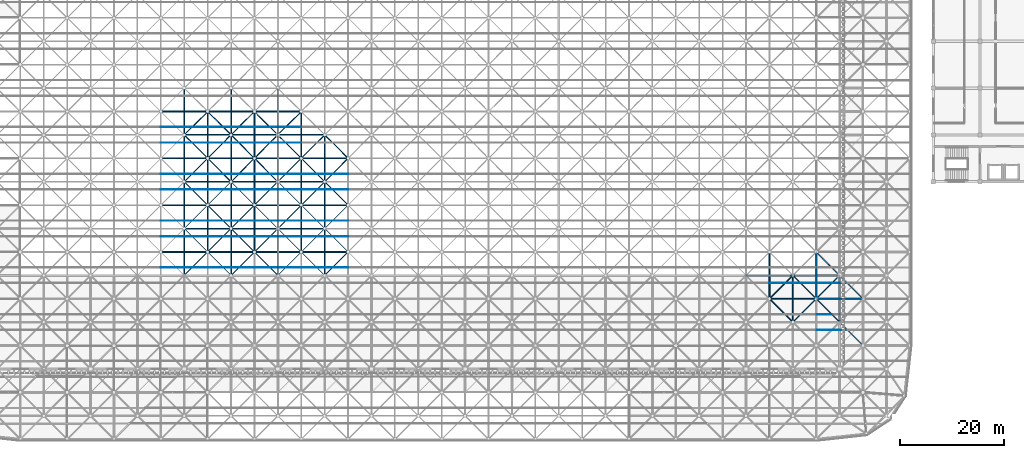
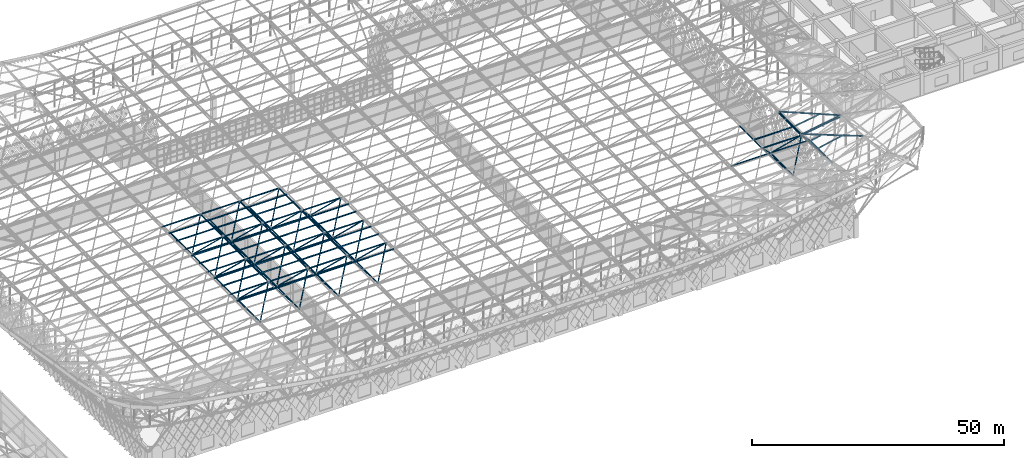
# One storey, part 90 of 437: 143 members.
"""IFC4 building model written with IfcOpenShell, lengths in metres."""

from ifc_helpers import new_model, si_unit, direction, frame, origin, origin_2d, place, context, subcontext, project, spatial, polyline, hollow_circle, outline, extrude, material, material_profile, profile_set, type_object, element, save


model = new_model("IFC4")

# Units and contexts
model_context = context("Model", 3, precision=1e-05, world=origin(), true_north=direction((0.0, 1.0)))
body_context = subcontext(model_context, "Body", "Model", "MODEL_VIEW")
ifc_project = project(units=[si_unit("LENGTHUNIT", "METRE"), si_unit("AREAUNIT", "SQUARE_METRE"), si_unit("VOLUMEUNIT", "CUBIC_METRE"), si_unit("PLANEANGLEUNIT", "RADIAN"), si_unit("MASSUNIT", "GRAM", prefix="KILO")], contexts=[model_context])

# Site, building, storey
site_placement = place(None, origin())
site = spatial("IfcSite", under=ifc_project, at=site_placement, CompositionType="ELEMENT")
building_placement = place(site_placement, origin())
building = spatial("IfcBuilding", under=site, at=building_placement, Name="Opaline Strait Convention Centre", CompositionType="ELEMENT")
storey_placement = place(building_placement, frame((0.0, 0.0, 11.5)))
storey = spatial("IfcBuildingStorey", under=building, at=storey_placement, Name="L02", CompositionType="ELEMENT", Elevation=11.5)

# Members
ifc_material = material(Name="Steel Q355B", Category="steel")
ifc_material_profile_1 = material_profile(ifc_material, outline(polyline([(-0.03759765625, -0.125), (0.03759765625, -0.125), (0.03759765625, -0.10498046875), (0.034912109375, -0.10498046875), (0.034912109375, -0.12255859375), (-0.034912109375, -0.12255859375), (-0.034912109375, 0.12255859375), (0.034912109375, 0.12255859375), (0.034912109375, 0.10498046875), (0.03759765625, 0.10498046875), (0.03759765625, 0.125), (-0.03759765625, 0.125), (-0.03759765625, -0.125)])), Name="C 250x75x20x2.5")
ifc_profile_set_1 = profile_set([ifc_material_profile_1], Name="Steel Q355B")
member_type_1 = type_object("IfcMemberType", Name="Roof purlin C 250x75x20x2.5", PredefinedType="PURLIN", material=ifc_profile_set_1)
member_1_placement = place(storey_placement, frame((265.5, 58.5, 20.09521484375), z_axis=(-0.699848198846, 0.699848198846, -0.142916049287), x_axis=(-0.697561791101, -0.712686479451, -0.074064361226)))
element("IfcMember", 1, at=member_1_placement, inside=storey, type_object=member_type_1, Name="EXB-RF-F-19-2", PredefinedType="PURLIN", context=body_context, shape_type="SweptSolid", body=[
    extrude(outline(polyline([(-0.03759765625, -0.125), (0.03759765625, -0.125), (0.03759765625, -0.10498046875), (0.034912109375, -0.10498046875), (0.034912109375, -0.12255859375), (-0.034912109375, -0.12255859375), (-0.034912109375, 0.12255859375), (0.034912109375, 0.12255859375), (0.034912109375, 0.10498046875), (0.03759765625, 0.10498046875), (0.03759765625, 0.125), (-0.03759765625, 0.125), (-0.03759765625, -0.125)])), origin(), (0.0, 0.0, 1.0), 12.85986328125),
])
member_2_placement = place(storey_placement, frame((256.449951171875, 67.454345703125, 18.2529296875), z_axis=(0.988093016125, 0.0, 0.153857698814), x_axis=(0.007363297001, 0.998854157138, -0.047287996623)))
element("IfcMember", 2, at=member_2_placement, inside=storey, type_object=member_type_1, Name="EXB-RF-E-19-2a", PredefinedType="PURLIN", context=body_context, shape_type="SweptSolid", body=[
    extrude(outline(polyline([(-0.03759765625, -0.125), (0.03759765625, -0.125), (0.03759765625, -0.10498046875), (0.034912109375, -0.10498046875), (0.034912109375, -0.12255859375), (-0.034912109375, -0.12255859375), (-0.034912109375, 0.12255859375), (0.034912109375, 0.12255859375), (0.034912109375, 0.10498046875), (0.03759765625, 0.10498046875), (0.03759765625, 0.125), (-0.03759765625, 0.125), (-0.03759765625, -0.125)])), origin(), (0.0, 0.0, 1.0), 9.209716796875),
])
member_3_placement = place(storey_placement, frame((256.598388671875, 61.5, 18.27978515625), z_axis=(0.979783458898, 0.0, 0.200060924894), x_axis=(0.0, 1.0, 0.0)))
element("IfcMember", 3, at=member_3_placement, inside=storey, type_object=member_type_1, Name="EXB-RF-P-19-2-0b", PredefinedType="PURLIN", context=body_context, shape_type="SweptSolid", body=[
    extrude(outline(polyline([(-0.03759765625, -0.125), (0.03759765625, -0.125), (0.03759765625, -0.10498046875), (0.034912109375, -0.10498046875), (0.034912109375, -0.12255859375), (-0.034912109375, -0.12255859375), (-0.034912109375, 0.12255859375), (0.034912109375, 0.12255859375), (0.034912109375, 0.10498046875), (0.03759765625, 0.10498046875), (0.03759765625, 0.125), (-0.03759765625, 0.125), (-0.03759765625, -0.125)])), origin(), (0.0, 0.0, 1.0), 5.972412109375),
])
member_4_placement = place(storey_placement, frame((256.598388671875, 64.5, 18.27978515625), z_axis=(0.979782251456, 0.0, 0.200066838161), x_axis=(0.0, 1.0, 0.0)))
element("IfcMember", 4, at=member_4_placement, inside=storey, type_object=member_type_1, Name="EXB-RF-P-19-2-1b", PredefinedType="PURLIN", context=body_context, shape_type="SweptSolid", body=[
    extrude(outline(polyline([(-0.03759765625, -0.125), (0.03759765625, -0.125), (0.03759765625, -0.10498046875), (0.034912109375, -0.10498046875), (0.034912109375, -0.12255859375), (-0.034912109375, -0.12255859375), (-0.034912109375, 0.12255859375), (0.034912109375, 0.12255859375), (0.034912109375, 0.10498046875), (0.03759765625, 0.10498046875), (0.03759765625, 0.125), (-0.03759765625, 0.125), (-0.03759765625, -0.125)])), origin(), (0.0, 0.0, 1.0), 2.910400390625),
])
for number, where, z_axis, x_axis, name in (
    (5, (130.5, 73.5, 18.257080078125), (1.0, 0.0, 0.0), (0.0, 1.0, 0.0), "EXB-RF-P-5-3-1"),
    (6, (139.5, 73.5, 18.257080078125), (1.0, 0.0, 0.0), (0.0, 1.0, 0.0), "EXB-RF-P-6-3-1"),
    (7, (148.5, 73.5, 18.257080078125), (1.0, 0.0, 0.0), (0.0, 1.0, 0.0), "EXB-RF-P-7-3-1"),
    (8, (157.5, 73.5, 18.257080078125), (1.0, 0.0, 0.0), (0.0, 1.0, 0.0), "EXB-RF-P-8-3-1"),
    (9, (247.5, 70.5, 18.257080078125), (1.0, 0.0, 0.0), (0.0, 1.0, 0.0), "EXB-RF-P-18-3-0"),
):
    element("IfcMember", number, at=place(storey_placement, frame(where, z_axis=z_axis, x_axis=x_axis)), inside=storey, type_object=member_type_1, Name=name, PredefinedType="PURLIN", context=body_context, shape_type="SweptSolid", body=[
        extrude(outline(polyline([(-0.03759765625, -0.125), (0.03759765625, -0.125), (0.03759765625, -0.10498046875), (0.034912109375, -0.10498046875), (0.034912109375, -0.12255859375), (-0.034912109375, -0.12255859375), (-0.034912109375, 0.12255859375), (0.034912109375, 0.12255859375), (0.034912109375, 0.10498046875), (0.03759765625, 0.10498046875), (0.03759765625, 0.125), (-0.03759765625, 0.125), (-0.03759765625, -0.125)])), origin(), (0.0, 0.0, 1.0), 9.0),
    ])
member_5_placement = place(storey_placement, frame((265.5, 67.5, 19.657470703125), z_axis=(-0.702857973456, 0.702857973456, -0.10945929974), x_axis=(-0.704515187221, -0.709082641772, -0.029328452286)))
element("IfcMember", 10, at=member_5_placement, inside=storey, type_object=member_type_1, Name="EXB-RF-F-19-3", PredefinedType="PURLIN", context=body_context, shape_type="SweptSolid", body=[
    extrude(outline(polyline([(-0.03759765625, -0.125), (0.03759765625, -0.125), (0.03759765625, -0.10498046875), (0.034912109375, -0.10498046875), (0.034912109375, -0.12255859375), (-0.034912109375, -0.12255859375), (-0.034912109375, 0.12255859375), (0.034912109375, 0.12255859375), (0.034912109375, 0.10498046875), (0.03759765625, 0.10498046875), (0.03759765625, 0.125), (-0.03759765625, 0.125), (-0.03759765625, -0.125)])), origin(), (0.0, 0.0, 1.0), 12.804931640625),
])
member_6_placement = place(storey_placement, frame((256.558349609375, 67.449951171875, 18.267578125), z_axis=(0.0, 1.0, 0.0), x_axis=(-0.988092083083, 0.0, -0.153863690806)))
element("IfcMember", 11, at=member_6_placement, inside=storey, type_object=member_type_1, Name="EXB-RF-E-19-3b", PredefinedType="PURLIN", context=body_context, shape_type="SweptSolid", body=[
    extrude(outline(polyline([(-0.03759765625, -0.125), (0.03759765625, -0.125), (0.03759765625, -0.10498046875), (0.034912109375, -0.10498046875), (0.034912109375, -0.12255859375), (-0.034912109375, -0.12255859375), (-0.034912109375, 0.12255859375), (0.034912109375, 0.12255859375), (0.034912109375, 0.10498046875), (0.03759765625, 0.10498046875), (0.03759765625, 0.125), (-0.03759765625, 0.125), (-0.03759765625, -0.125)])), origin(), (0.0, 0.0, 1.0), 9.10009765625),
])
member_7_placement = place(storey_placement, frame((256.593017578125, 70.5, 18.27294921875), z_axis=(0.988090041888, 0.0, 0.15387679852), x_axis=(0.0, 1.0, 0.0)))
element("IfcMember", 12, at=member_7_placement, inside=storey, type_object=member_type_1, Name="EXB-RF-P-19-3-0b", PredefinedType="PURLIN", context=body_context, shape_type="SweptSolid", body=[
    extrude(outline(polyline([(-0.03759765625, -0.125), (0.03759765625, -0.125), (0.03759765625, -0.10498046875), (0.034912109375, -0.10498046875), (0.034912109375, -0.12255859375), (-0.034912109375, -0.12255859375), (-0.034912109375, 0.12255859375), (0.034912109375, 0.12255859375), (0.034912109375, 0.10498046875), (0.03759765625, 0.10498046875), (0.03759765625, 0.125), (-0.03759765625, 0.125), (-0.03759765625, -0.125)])), origin(), (0.0, 0.0, 1.0), 5.927490234375),
])
for number, where, z_axis, x_axis, name in (
    (13, (130.5, 79.5, 18.257080078125), (1.0, 0.0, 0.0), (0.0, 1.0, 0.0), "EXB-RF-P-5-4-0"),
    (14, (130.5, 82.5, 18.257080078125), (1.0, 0.0, 0.0), (0.0, 1.0, 0.0), "EXB-RF-P-5-4-1"),
    (15, (139.5, 79.5, 18.257080078125), (1.0, 0.0, 0.0), (0.0, 1.0, 0.0), "EXB-RF-P-6-4-0"),
    (16, (139.5, 82.5, 18.257080078125), (1.0, 0.0, 0.0), (0.0, 1.0, 0.0), "EXB-RF-P-6-4-1"),
    (17, (148.5, 79.5, 18.257080078125), (1.0, 0.0, 0.0), (0.0, 1.0, 0.0), "EXB-RF-P-7-4-0"),
    (18, (148.5, 82.5, 18.257080078125), (1.0, 0.0, 0.0), (0.0, 1.0, 0.0), "EXB-RF-P-7-4-1"),
    (19, (157.5, 79.5, 18.257080078125), (1.0, 0.0, 0.0), (0.0, 1.0, 0.0), "EXB-RF-P-8-4-0"),
    (20, (157.5, 82.5, 18.257080078125), (1.0, 0.0, 0.0), (0.0, 1.0, 0.0), "EXB-RF-P-8-4-1"),
    (21, (130.5, 88.5, 18.257080078125), (1.0, 0.0, 0.0), (0.0, 1.0, 0.0), "EXB-RF-P-5-5-0"),
    (22, (130.5, 91.5, 18.257080078125), (1.0, 0.0, 0.0), (0.0, 1.0, 0.0), "EXB-RF-P-5-5-1"),
    (23, (139.5, 88.5, 18.257080078125), (1.0, 0.0, 0.0), (0.0, 1.0, 0.0), "EXB-RF-P-6-5-0"),
    (24, (139.5, 91.5, 18.257080078125), (1.0, 0.0, 0.0), (0.0, 1.0, 0.0), "EXB-RF-P-6-5-1"),
    (25, (148.5, 88.5, 18.257080078125), (1.0, 0.0, 0.0), (0.0, 1.0, 0.0), "EXB-RF-P-7-5-0"),
    (26, (148.5, 91.5, 18.257080078125), (1.0, 0.0, 0.0), (0.0, 1.0, 0.0), "EXB-RF-P-7-5-1"),
    (27, (157.5, 88.5, 18.257080078125), (1.0, 0.0, 0.0), (0.0, 1.0, 0.0), "EXB-RF-P-8-5-0"),
    (28, (157.5, 91.5, 18.257080078125), (1.0, 0.0, 0.0), (0.0, 1.0, 0.0), "EXB-RF-P-8-5-1"),
    (29, (130.5, 97.5, 18.257080078125), (1.0, 0.0, 0.0), (0.0, 1.0, 0.0), "EXB-RF-P-5-6-0"),
    (30, (130.5, 100.5, 18.257080078125), (1.0, 0.0, 0.0), (0.0, 1.0, 0.0), "EXB-RF-P-5-6-1"),
    (31, (139.5, 97.5, 18.257080078125), (1.0, 0.0, 0.0), (0.0, 1.0, 0.0), "EXB-RF-P-6-6-0"),
    (32, (139.5, 100.5, 18.257080078125), (1.0, 0.0, 0.0), (0.0, 1.0, 0.0), "EXB-RF-P-6-6-1"),
    (33, (148.5, 97.5, 18.257080078125), (1.0, 0.0, 0.0), (0.0, 1.0, 0.0), "EXB-RF-P-7-6-0"),
    (34, (148.5, 100.5, 18.257080078125), (1.0, 0.0, 0.0), (0.0, 1.0, 0.0), "EXB-RF-P-7-6-1"),
):
    element("IfcMember", number, at=place(storey_placement, frame(where, z_axis=z_axis, x_axis=x_axis)), inside=storey, type_object=member_type_1, Name=name, PredefinedType="PURLIN", context=body_context, shape_type="SweptSolid", body=[
        extrude(outline(polyline([(-0.03759765625, -0.125), (0.03759765625, -0.125), (0.03759765625, -0.10498046875), (0.034912109375, -0.10498046875), (0.034912109375, -0.12255859375), (-0.034912109375, -0.12255859375), (-0.034912109375, 0.12255859375), (0.034912109375, 0.12255859375), (0.034912109375, 0.10498046875), (0.03759765625, 0.10498046875), (0.03759765625, 0.125), (-0.03759765625, 0.125), (-0.03759765625, -0.125)])), origin(), (0.0, 0.0, 1.0), 9.0),
    ])
ifc_material_profile_2 = material_profile(ifc_material, hollow_circle(Radius=0.1494140625, WallThickness=0.010009765625, at=origin_2d()), Name="CHS 299x10")
ifc_profile_set_2 = profile_set([ifc_material_profile_2], Name="Steel Q355B")
member_type_2 = type_object("IfcMemberType", Name="Space frame bottom chord CHS 299x10", PredefinedType="CHORD", material=ifc_profile_set_2)
for number, where, z_axis, x_axis, name in (
    (35, (134.949951171875, 81.0, 12.5), (1.0, 0.0, 0.0), (0.0, 1.0, 0.0), "EXB-RF-BX-5-4"),
    (36, (134.949951171875, 90.0, 12.5), (1.0, 0.0, 0.0), (0.0, 1.0, 0.0), "EXB-RF-BX-5-5"),
    (37, (134.949951171875, 99.0, 12.5), (1.0, 0.0, 0.0), (0.0, 1.0, 0.0), "EXB-RF-BX-5-6"),
    (38, (135.0, 71.949951171875, 12.5), (0.0, 1.0, 0.0), (-1.0, 0.0, 0.0), "EXB-RF-BY-5-3"),
    (39, (135.0, 80.949951171875, 12.5), (0.0, 1.0, 0.0), (-1.0, 0.0, 0.0), "EXB-RF-BY-5-4"),
    (40, (135.0, 89.949951171875, 12.5), (0.0, 1.0, 0.0), (-1.0, 0.0, 0.0), "EXB-RF-BY-5-5"),
    (41, (135.0, 98.949951171875, 12.5), (0.0, 1.0, 0.0), (-1.0, 0.0, 0.0), "EXB-RF-BY-5-6"),
):
    element("IfcMember", number, at=place(storey_placement, frame(where, z_axis=z_axis, x_axis=x_axis)), inside=storey, type_object=member_type_2, Name=name, PredefinedType="CHORD", context=body_context, shape_type="SweptSolid", body=[
        extrude(hollow_circle(Radius=0.1494140625, WallThickness=0.010009765625, at=origin_2d()), origin(), (0.0, 0.0, 1.0), 9.10009765625),
    ])
ifc_material_profile_3 = material_profile(ifc_material, hollow_circle(Radius=0.1494140625, WallThickness=0.01611328125, at=origin_2d()), Name="CHS 299x16")
ifc_profile_set_3 = profile_set([ifc_material_profile_3], Name="Steel Q355B")
member_type_3 = type_object("IfcMemberType", Name="Space frame bottom chord CHS 299x16", PredefinedType="CHORD", material=ifc_profile_set_3)
for number, where, z_axis, x_axis, name in (
    (42, (143.949951171875, 81.0, 12.5), (1.0, 0.0, 0.0), (0.0, 1.0, 0.0), "EXB-RF-BX-6-4"),
    (43, (152.949951171875, 81.0, 12.5), (1.0, 0.0, 0.0), (0.0, 1.0, 0.0), "EXB-RF-BX-7-4"),
    (44, (143.949951171875, 90.0, 12.5), (1.0, 0.0, 0.0), (0.0, 1.0, 0.0), "EXB-RF-BX-6-5"),
    (45, (152.949951171875, 90.0, 12.5), (1.0, 0.0, 0.0), (0.0, 1.0, 0.0), "EXB-RF-BX-7-5"),
    (46, (143.949951171875, 99.0, 12.5), (1.0, 0.0, 0.0), (0.0, 1.0, 0.0), "EXB-RF-BX-6-6"),
    (47, (152.949951171875, 99.0, 12.5), (1.0, 0.0, 0.0), (0.0, 1.0, 0.0), "EXB-RF-BX-7-6"),
    (48, (144.0, 71.949951171875, 12.5), (0.0, 1.0, 0.0), (-1.0, 0.0, 0.0), "EXB-RF-BY-6-3"),
    (49, (144.0, 80.949951171875, 12.5), (0.0, 1.0, 0.0), (-1.0, 0.0, 0.0), "EXB-RF-BY-6-4"),
    (50, (144.0, 89.949951171875, 12.5), (0.0, 1.0, 0.0), (-1.0, 0.0, 0.0), "EXB-RF-BY-6-5"),
    (51, (144.0, 98.949951171875, 12.5), (0.0, 1.0, 0.0), (-1.0, 0.0, 0.0), "EXB-RF-BY-6-6"),
    (52, (153.0, 71.949951171875, 12.5), (0.0, 1.0, 0.0), (-1.0, 0.0, 0.0), "EXB-RF-BY-7-3"),
    (53, (153.0, 80.949951171875, 12.5), (0.0, 1.0, 0.0), (-1.0, 0.0, 0.0), "EXB-RF-BY-7-4"),
    (54, (153.0, 89.949951171875, 12.5), (0.0, 1.0, 0.0), (-1.0, 0.0, 0.0), "EXB-RF-BY-7-5"),
    (55, (153.0, 98.949951171875, 12.5), (0.0, 1.0, 0.0), (-1.0, 0.0, 0.0), "EXB-RF-BY-7-6"),
    (56, (162.0, 71.949951171875, 12.5), (0.0, 1.0, 0.0), (-1.0, 0.0, 0.0), "EXB-RF-BY-8-3"),
    (57, (162.0, 80.949951171875, 12.5), (0.0, 1.0, 0.0), (-1.0, 0.0, 0.0), "EXB-RF-BY-8-4"),
    (58, (162.0, 89.949951171875, 12.5), (0.0, 1.0, 0.0), (-1.0, 0.0, 0.0), "EXB-RF-BY-8-5"),
):
    element("IfcMember", number, at=place(storey_placement, frame(where, z_axis=z_axis, x_axis=x_axis)), inside=storey, type_object=member_type_3, Name=name, PredefinedType="CHORD", context=body_context, shape_type="SweptSolid", body=[
        extrude(hollow_circle(Radius=0.1494140625, WallThickness=0.01611328125, at=origin_2d()), origin(), (0.0, 0.0, 1.0), 9.10009765625),
    ])
ifc_material_profile_4 = material_profile(ifc_material, hollow_circle(Radius=0.175537109375, WallThickness=0.01611328125, at=origin_2d()), Name="CHS 351x16")
ifc_profile_set_4 = profile_set([ifc_material_profile_4], Name="Steel Q355B")
member_type_4 = type_object("IfcMemberType", Name="Space frame bottom chord CHS 351x16", PredefinedType="CHORD", material=ifc_profile_set_4)
for number, where, z_axis, x_axis, name in (
    (59, (242.949951171875, 72.0, 12.5), (1.0, 0.0, 0.0), (0.0, 1.0, 0.0), "EXB-RF-BX-17-3"),
    (60, (251.949951171875, 72.0, 12.5), (1.0, 0.0, 0.0), (0.0, 1.0, 0.0), "EXB-RF-BX-18-3"),
    (61, (252.0, 62.949951171875, 12.5), (0.0, 1.0, 0.0), (-1.0, 0.0, 0.0), "EXB-RF-BY-18-2"),
    (62, (261.0, 62.949951171875, 12.5), (0.0, 1.0, 0.0), (-1.0, 0.0, 0.0), "EXB-RF-BY-19-2"),
):
    element("IfcMember", number, at=place(storey_placement, frame(where, z_axis=z_axis, x_axis=x_axis)), inside=storey, type_object=member_type_4, Name=name, PredefinedType="CHORD", context=body_context, shape_type="SweptSolid", body=[
        extrude(hollow_circle(Radius=0.175537109375, WallThickness=0.01611328125, at=origin_2d()), origin(), (0.0, 0.0, 1.0), 9.10009765625),
    ])
ifc_material_profile_5 = material_profile(ifc_material, hollow_circle(Radius=0.16259765625, WallThickness=0.010009765625, at=origin_2d()), Name="CHS 325x10")
ifc_profile_set_5 = profile_set([ifc_material_profile_5], Name="Steel Q355B")
member_type_5 = type_object("IfcMemberType", Name="Space frame top chord CHS 325x10", PredefinedType="CHORD", material=ifc_profile_set_5)
for number, where, z_axis, x_axis, name in (
    (63, (130.449951171875, 76.5, 17.971435546875), (1.0, 0.0, 0.0), (0.0, 1.0, 0.0), "EXB-RF-TX-5-4"),
    (64, (139.449951171875, 76.5, 17.971435546875), (1.0, 0.0, 0.0), (0.0, 1.0, 0.0), "EXB-RF-TX-6-4"),
    (65, (148.449951171875, 76.5, 17.971435546875), (1.0, 0.0, 0.0), (0.0, 1.0, 0.0), "EXB-RF-TX-7-4"),
    (66, (157.449951171875, 76.5, 17.971435546875), (1.0, 0.0, 0.0), (0.0, 1.0, 0.0), "EXB-RF-TX-8-4"),
    (67, (130.449951171875, 85.5, 17.971435546875), (1.0, 0.0, 0.0), (0.0, 1.0, 0.0), "EXB-RF-TX-5-5"),
    (68, (139.449951171875, 85.5, 17.971435546875), (1.0, 0.0, 0.0), (0.0, 1.0, 0.0), "EXB-RF-TX-6-5"),
    (69, (148.449951171875, 85.5, 17.971435546875), (1.0, 0.0, 0.0), (0.0, 1.0, 0.0), "EXB-RF-TX-7-5"),
    (70, (157.449951171875, 85.5, 17.971435546875), (1.0, 0.0, 0.0), (0.0, 1.0, 0.0), "EXB-RF-TX-8-5"),
    (71, (130.449951171875, 94.5, 17.971435546875), (1.0, 0.0, 0.0), (0.0, 1.0, 0.0), "EXB-RF-TX-5-6"),
    (72, (139.449951171875, 94.5, 17.971435546875), (1.0, 0.0, 0.0), (0.0, 1.0, 0.0), "EXB-RF-TX-6-6"),
    (73, (148.449951171875, 94.5, 17.971435546875), (1.0, 0.0, 0.0), (0.0, 1.0, 0.0), "EXB-RF-TX-7-6"),
    (74, (157.449951171875, 94.5, 17.971435546875), (1.0, 0.0, 0.0), (0.0, 1.0, 0.0), "EXB-RF-TX-8-6"),
    (75, (130.449951171875, 103.5, 17.971435546875), (1.0, 0.0, 0.0), (0.0, 1.0, 0.0), "EXB-RF-TX-5-7"),
    (76, (139.449951171875, 103.5, 17.971435546875), (1.0, 0.0, 0.0), (0.0, 1.0, 0.0), "EXB-RF-TX-6-7"),
    (77, (148.449951171875, 103.5, 17.971435546875), (1.0, 0.0, 0.0), (0.0, 1.0, 0.0), "EXB-RF-TX-7-7"),
    (78, (139.5, 76.449951171875, 17.971435546875), (0.0, 1.0, 0.0), (-1.0, 0.0, 0.0), "EXB-RF-TY-6-4"),
    (79, (139.5, 85.449951171875, 17.971435546875), (0.0, 1.0, 0.0), (-1.0, 0.0, 0.0), "EXB-RF-TY-6-5"),
    (80, (139.5, 94.449951171875, 17.971435546875), (0.0, 1.0, 0.0), (-1.0, 0.0, 0.0), "EXB-RF-TY-6-6"),
    (81, (148.5, 76.449951171875, 17.971435546875), (0.0, 1.0, 0.0), (-1.0, 0.0, 0.0), "EXB-RF-TY-7-4"),
    (82, (148.5, 85.449951171875, 17.971435546875), (0.0, 1.0, 0.0), (-1.0, 0.0, 0.0), "EXB-RF-TY-7-5"),
    (83, (148.5, 94.449951171875, 17.971435546875), (0.0, 1.0, 0.0), (-1.0, 0.0, 0.0), "EXB-RF-TY-7-6"),
    (84, (157.5, 76.449951171875, 17.971435546875), (0.0, 1.0, 0.0), (-1.0, 0.0, 0.0), "EXB-RF-TY-8-4"),
    (85, (157.5, 85.449951171875, 17.971435546875), (0.0, 1.0, 0.0), (-1.0, 0.0, 0.0), "EXB-RF-TY-8-5"),
    (86, (157.5, 94.449951171875, 17.971435546875), (0.0, 1.0, 0.0), (-1.0, 0.0, 0.0), "EXB-RF-TY-8-6"),
):
    element("IfcMember", number, at=place(storey_placement, frame(where, z_axis=z_axis, x_axis=x_axis)), inside=storey, type_object=member_type_5, Name=name, PredefinedType="CHORD", context=body_context, shape_type="SweptSolid", body=[
        extrude(hollow_circle(Radius=0.16259765625, WallThickness=0.010009765625, at=origin_2d()), origin(), (0.0, 0.0, 1.0), 9.10009765625),
    ])
ifc_material_profile_6 = material_profile(ifc_material, hollow_circle(Radius=0.16259765625, WallThickness=0.02001953125, at=origin_2d()), Name="CHS 325x20")
ifc_profile_set_6 = profile_set([ifc_material_profile_6], Name="Steel Q355B")
member_type_6 = type_object("IfcMemberType", Name="Space frame top chord CHS 325x20", PredefinedType="CHORD", material=ifc_profile_set_6)
member_8_placement = place(storey_placement, frame((247.449951171875, 67.5, 17.971435546875), z_axis=(1.0, 0.0, 0.0), x_axis=(0.0, 1.0, 0.0)))
element("IfcMember", 87, at=member_8_placement, inside=storey, type_object=member_type_6, Name="EXB-RF-TX-18-3", PredefinedType="CHORD", context=body_context, shape_type="SweptSolid", body=[
    extrude(hollow_circle(Radius=0.16259765625, WallThickness=0.02001953125, at=origin_2d()), origin(), (0.0, 0.0, 1.0), 9.10009765625),
])
member_9_placement = place(storey_placement, frame((256.45068359375, 67.5, 17.9638671875), z_axis=(0.988093281059, 0.0, 0.15385599737), x_axis=(0.0, 1.0, 0.0)))
element("IfcMember", 88, at=member_9_placement, inside=storey, type_object=member_type_6, Name="EXB-RF-TX-19-3", PredefinedType="CHORD", context=body_context, shape_type="SweptSolid", body=[
    extrude(hollow_circle(Radius=0.16259765625, WallThickness=0.02001953125, at=origin_2d()), origin(), (0.0, 0.0, 1.0), 9.208251953125),
])
for number, where, z_axis, x_axis, name in (
    (89, (247.5, 67.449951171875, 17.971435546875), (0.0, 1.0, 0.0), (-1.0, 0.0, 0.0), "EXB-RF-TY-18-3"),
    (90, (256.5, 67.449951171875, 17.971435546875), (0.0, 1.0, 0.0), (-1.0, 0.0, 0.0), "EXB-RF-TY-19-3"),
):
    element("IfcMember", number, at=place(storey_placement, frame(where, z_axis=z_axis, x_axis=x_axis)), inside=storey, type_object=member_type_6, Name=name, PredefinedType="CHORD", context=body_context, shape_type="SweptSolid", body=[
        extrude(hollow_circle(Radius=0.16259765625, WallThickness=0.02001953125, at=origin_2d()), origin(), (0.0, 0.0, 1.0), 9.10009765625),
    ])
ifc_material_profile_7 = material_profile(ifc_material, hollow_circle(Radius=0.070068359375, WallThickness=0.0048828125, at=origin_2d()), Name="CHS 140x5")
ifc_profile_set_7 = profile_set([ifc_material_profile_7], Name="Steel Q355B")
member_type_7 = type_object("IfcMemberType", Name="Space frame web CHS 140x5", PredefinedType="BRACE", material=ifc_profile_set_7)
for number, where, z_axis, x_axis, name in (
    (91, (139.52685546875, 94.52685546875, 18.004150390625), (-0.536178220346, -0.536178220346, -0.6519400525), (0.707106781187, -0.707106781187, 0.0), "EXB-RF-W-5-5-11"),
    (92, (139.52685546875, 94.47314453125, 18.004150390625), (-0.536178220346, 0.536178220346, -0.6519400525), (-0.707106781187, -0.707106781187, 0.0), "EXB-RF-W-5-6-10"),
    (93, (139.52685546875, 103.52685546875, 18.004150390625), (-0.536178220346, -0.536178220346, -0.6519400525), (0.707106781187, -0.707106781187, 0.0), "EXB-RF-W-5-6-11"),
    (94, (139.47314453125, 94.52685546875, 18.004150390625), (0.536178220346, -0.536178220346, -0.6519400525), (0.707106781187, 0.707106781187, 0.0), "EXB-RF-W-6-5-01"),
    (95, (148.52685546875, 94.52685546875, 18.004150390625), (-0.536178220346, -0.536178220346, -0.6519400525), (0.707106781187, -0.707106781187, 0.0), "EXB-RF-W-6-5-11"),
    (96, (139.47314453125, 94.47314453125, 18.004150390625), (0.536178220346, 0.536178220346, -0.6519400525), (-0.707106781187, 0.707106781187, 0.0), "EXB-RF-W-6-6-00"),
    (97, (139.47314453125, 103.52685546875, 18.004150390625), (0.536178220346, -0.536178220346, -0.6519400525), (0.707106781187, 0.707106781187, 0.0), "EXB-RF-W-6-6-01"),
    (98, (148.52685546875, 94.47314453125, 18.004150390625), (-0.536178220346, 0.536178220346, -0.6519400525), (-0.707106781187, -0.707106781187, 0.0), "EXB-RF-W-6-6-10"),
    (99, (148.52685546875, 103.52685546875, 18.004150390625), (-0.536178220346, -0.536178220346, -0.6519400525), (0.707106781187, -0.707106781187, 0.0), "EXB-RF-W-6-6-11"),
    (100, (148.47314453125, 94.52685546875, 18.004150390625), (0.536178220346, -0.536178220346, -0.6519400525), (0.707106781187, 0.707106781187, 0.0), "EXB-RF-W-7-5-01"),
    (101, (157.52685546875, 94.52685546875, 18.004150390625), (-0.536178220346, -0.536178220346, -0.6519400525), (0.707106781187, -0.707106781187, 0.0), "EXB-RF-W-7-5-11"),
    (102, (148.47314453125, 94.47314453125, 18.004150390625), (0.536178220346, 0.536178220346, -0.6519400525), (-0.707106781187, 0.707106781187, 0.0), "EXB-RF-W-7-6-00"),
    (103, (148.47314453125, 103.52685546875, 18.004150390625), (0.536178220346, -0.536178220346, -0.6519400525), (0.707106781187, 0.707106781187, 0.0), "EXB-RF-W-7-6-01"),
    (104, (157.52685546875, 94.47314453125, 18.004150390625), (-0.536178220346, 0.536178220346, -0.6519400525), (-0.707106781187, -0.707106781187, 0.0), "EXB-RF-W-7-6-10"),
    (105, (157.52685546875, 103.52685546875, 18.004150390625), (-0.536178220346, -0.536178220346, -0.6519400525), (0.707106781187, -0.707106781187, 0.0), "EXB-RF-W-7-6-11"),
    (106, (157.47314453125, 94.52685546875, 18.004150390625), (0.536178220346, -0.536178220346, -0.6519400525), (0.707106781187, 0.707106781187, 0.0), "EXB-RF-W-8-5-01"),
    (107, (166.52685546875, 94.52685546875, 18.004150390625), (-0.536178220346, -0.536178220346, -0.6519400525), (0.707106781187, -0.707106781187, 0.0), "EXB-RF-W-8-5-11"),
    (108, (157.47314453125, 94.47314453125, 18.004150390625), (0.536178220346, 0.536178220346, -0.6519400525), (-0.707106781187, 0.707106781187, 0.0), "EXB-RF-W-8-6-00"),
    (109, (166.52685546875, 94.47314453125, 18.004150390625), (-0.536178220346, 0.536178220346, -0.6519400525), (-0.707106781187, -0.707106781187, 0.0), "EXB-RF-W-8-6-10"),
):
    element("IfcMember", number, at=place(storey_placement, frame(where, z_axis=z_axis, x_axis=x_axis)), inside=storey, type_object=member_type_7, Name=name, PredefinedType="BRACE", context=body_context, shape_type="SweptSolid", body=[
        extrude(hollow_circle(Radius=0.070068359375, WallThickness=0.0048828125, at=origin_2d()), origin(), (0.0, 0.0, 1.0), 8.492919921875),
    ])
ifc_material_profile_8 = material_profile(ifc_material, hollow_circle(Radius=0.083984375, WallThickness=0.008056640625, at=origin_2d()), Name="CHS 168x8")
ifc_profile_set_8 = profile_set([ifc_material_profile_8], Name="Steel Q355B")
member_type_8 = type_object("IfcMemberType", Name="Space frame web CHS 168x8", PredefinedType="BRACE", material=ifc_profile_set_8)
for number, where, z_axis, x_axis, name in (
    (110, (139.52685546875, 76.52685546875, 18.004150390625), (-0.536178220346, -0.536178220346, -0.6519400525), (0.707106781187, -0.707106781187, 0.0), "EXB-RF-W-5-3-11"),
    (111, (139.52685546875, 76.47314453125, 18.004150390625), (-0.536178220346, 0.536178220346, -0.6519400525), (-0.707106781187, -0.707106781187, 0.0), "EXB-RF-W-5-4-10"),
    (112, (139.52685546875, 85.52685546875, 18.004150390625), (-0.536178220346, -0.536178220346, -0.6519400525), (0.707106781187, -0.707106781187, 0.0), "EXB-RF-W-5-4-11"),
    (113, (139.52685546875, 85.47314453125, 18.004150390625), (-0.536178220346, 0.536178220346, -0.6519400525), (-0.707106781187, -0.707106781187, 0.0), "EXB-RF-W-5-5-10"),
    (114, (139.47314453125, 76.52685546875, 18.004150390625), (0.536178220346, -0.536178220346, -0.6519400525), (0.707106781187, 0.707106781187, 0.0), "EXB-RF-W-6-3-01"),
    (115, (148.52685546875, 76.52685546875, 18.004150390625), (-0.536178220346, -0.536178220346, -0.6519400525), (0.707106781187, -0.707106781187, 0.0), "EXB-RF-W-6-3-11"),
    (116, (139.47314453125, 76.47314453125, 18.004150390625), (0.536178220346, 0.536178220346, -0.6519400525), (-0.707106781187, 0.707106781187, 0.0), "EXB-RF-W-6-4-00"),
    (117, (139.47314453125, 85.52685546875, 18.004150390625), (0.536178220346, -0.536178220346, -0.6519400525), (0.707106781187, 0.707106781187, 0.0), "EXB-RF-W-6-4-01"),
    (118, (148.52685546875, 76.47314453125, 18.004150390625), (-0.536178220346, 0.536178220346, -0.6519400525), (-0.707106781187, -0.707106781187, 0.0), "EXB-RF-W-6-4-10"),
    (119, (148.52685546875, 85.52685546875, 18.004150390625), (-0.536178220346, -0.536178220346, -0.6519400525), (0.707106781187, -0.707106781187, 0.0), "EXB-RF-W-6-4-11"),
    (120, (139.47314453125, 85.47314453125, 18.004150390625), (0.536178220346, 0.536178220346, -0.6519400525), (-0.707106781187, 0.707106781187, 0.0), "EXB-RF-W-6-5-00"),
    (121, (148.52685546875, 85.47314453125, 18.004150390625), (-0.536178220346, 0.536178220346, -0.6519400525), (-0.707106781187, -0.707106781187, 0.0), "EXB-RF-W-6-5-10"),
    (122, (148.47314453125, 76.52685546875, 18.004150390625), (0.536178220346, -0.536178220346, -0.6519400525), (0.707106781187, 0.707106781187, 0.0), "EXB-RF-W-7-3-01"),
    (123, (157.52685546875, 76.52685546875, 18.004150390625), (-0.536178220346, -0.536178220346, -0.6519400525), (0.707106781187, -0.707106781187, 0.0), "EXB-RF-W-7-3-11"),
    (124, (148.47314453125, 76.47314453125, 18.004150390625), (0.536178220346, 0.536178220346, -0.6519400525), (-0.707106781187, 0.707106781187, 0.0), "EXB-RF-W-7-4-00"),
    (125, (148.47314453125, 85.52685546875, 18.004150390625), (0.536178220346, -0.536178220346, -0.6519400525), (0.707106781187, 0.707106781187, 0.0), "EXB-RF-W-7-4-01"),
    (126, (157.52685546875, 76.47314453125, 18.004150390625), (-0.536178220346, 0.536178220346, -0.6519400525), (-0.707106781187, -0.707106781187, 0.0), "EXB-RF-W-7-4-10"),
    (127, (157.52685546875, 85.52685546875, 18.004150390625), (-0.536178220346, -0.536178220346, -0.6519400525), (0.707106781187, -0.707106781187, 0.0), "EXB-RF-W-7-4-11"),
    (128, (148.47314453125, 85.47314453125, 18.004150390625), (0.536178220346, 0.536178220346, -0.6519400525), (-0.707106781187, 0.707106781187, 0.0), "EXB-RF-W-7-5-00"),
    (129, (157.52685546875, 85.47314453125, 18.004150390625), (-0.536178220346, 0.536178220346, -0.6519400525), (-0.707106781187, -0.707106781187, 0.0), "EXB-RF-W-7-5-10"),
    (130, (157.47314453125, 76.52685546875, 18.004150390625), (0.536178220346, -0.536178220346, -0.6519400525), (0.707106781187, 0.707106781187, 0.0), "EXB-RF-W-8-3-01"),
    (131, (166.52685546875, 76.52685546875, 18.004150390625), (-0.536178220346, -0.536178220346, -0.6519400525), (0.707106781187, -0.707106781187, 0.0), "EXB-RF-W-8-3-11"),
    (132, (157.47314453125, 76.47314453125, 18.004150390625), (0.536178220346, 0.536178220346, -0.6519400525), (-0.707106781187, 0.707106781187, 0.0), "EXB-RF-W-8-4-00"),
    (133, (157.47314453125, 85.52685546875, 18.004150390625), (0.536178220346, -0.536178220346, -0.6519400525), (0.707106781187, 0.707106781187, 0.0), "EXB-RF-W-8-4-01"),
    (134, (166.52685546875, 76.47314453125, 18.004150390625), (-0.536178220346, 0.536178220346, -0.6519400525), (-0.707106781187, -0.707106781187, 0.0), "EXB-RF-W-8-4-10"),
    (135, (166.52685546875, 85.52685546875, 18.004150390625), (-0.536178220346, -0.536178220346, -0.6519400525), (0.707106781187, -0.707106781187, 0.0), "EXB-RF-W-8-4-11"),
    (136, (157.47314453125, 85.47314453125, 18.004150390625), (0.536178220346, 0.536178220346, -0.6519400525), (-0.707106781187, 0.707106781187, 0.0), "EXB-RF-W-8-5-00"),
    (137, (166.52685546875, 85.47314453125, 18.004150390625), (-0.536178220346, 0.536178220346, -0.6519400525), (-0.707106781187, -0.707106781187, 0.0), "EXB-RF-W-8-5-10"),
):
    element("IfcMember", number, at=place(storey_placement, frame(where, z_axis=z_axis, x_axis=x_axis)), inside=storey, type_object=member_type_8, Name=name, PredefinedType="BRACE", context=body_context, shape_type="SweptSolid", body=[
        extrude(hollow_circle(Radius=0.083984375, WallThickness=0.008056640625, at=origin_2d()), origin(), (0.0, 0.0, 1.0), 8.492919921875),
    ])
ifc_material_profile_9 = material_profile(ifc_material, hollow_circle(Radius=0.12255859375, WallThickness=0.011962890625, at=origin_2d()), Name="CHS 245x12")
ifc_profile_set_9 = profile_set([ifc_material_profile_9], Name="Steel Q355B")
member_type_9 = type_object("IfcMemberType", Name="Space frame web CHS 245x12", PredefinedType="BRACE", material=ifc_profile_set_9)
for number, where, z_axis, x_axis, name in (
    (138, (247.47314453125, 67.52685546875, 18.004150390625), (0.536178220346, -0.536178220346, -0.6519400525), (0.707106781187, 0.707106781187, 0.0), "EXB-RF-W-18-2-01"),
    (139, (256.52685546875, 67.52685546875, 18.004150390625), (-0.536178220346, -0.536178220346, -0.6519400525), (0.707106781187, -0.707106781187, 0.0), "EXB-RF-W-18-2-11"),
    (140, (247.47314453125, 67.47314453125, 18.004150390625), (0.536178220346, 0.536178220346, -0.6519400525), (-0.707106781187, 0.707106781187, 0.0), "EXB-RF-W-18-3-00"),
    (141, (256.52685546875, 67.47314453125, 18.004150390625), (-0.536178220346, 0.536178220346, -0.6519400525), (-0.707106781187, -0.707106781187, 0.0), "EXB-RF-W-18-3-10"),
    (142, (256.47314453125, 67.52685546875, 18.004150390625), (0.536178220346, -0.536178220346, -0.6519400525), (0.707106781187, 0.707106781187, 0.0), "EXB-RF-W-19-2-01"),
    (143, (256.47314453125, 67.47314453125, 18.004150390625), (0.536178220346, 0.536178220346, -0.6519400525), (-0.707106781187, 0.707106781187, 0.0), "EXB-RF-W-19-3-00"),
):
    element("IfcMember", number, at=place(storey_placement, frame(where, z_axis=z_axis, x_axis=x_axis)), inside=storey, type_object=member_type_9, Name=name, PredefinedType="BRACE", context=body_context, shape_type="SweptSolid", body=[
        extrude(hollow_circle(Radius=0.12255859375, WallThickness=0.011962890625, at=origin_2d()), origin(), (0.0, 0.0, 1.0), 8.492919921875),
    ])

save(model, "model.ifc")
